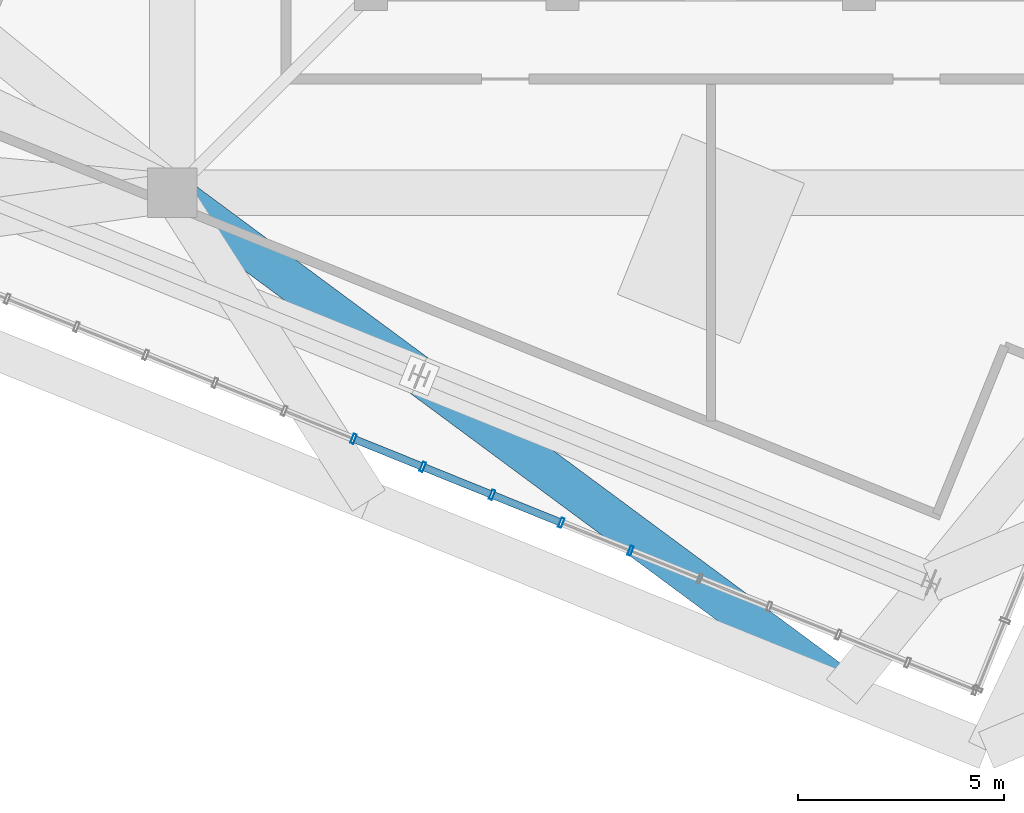
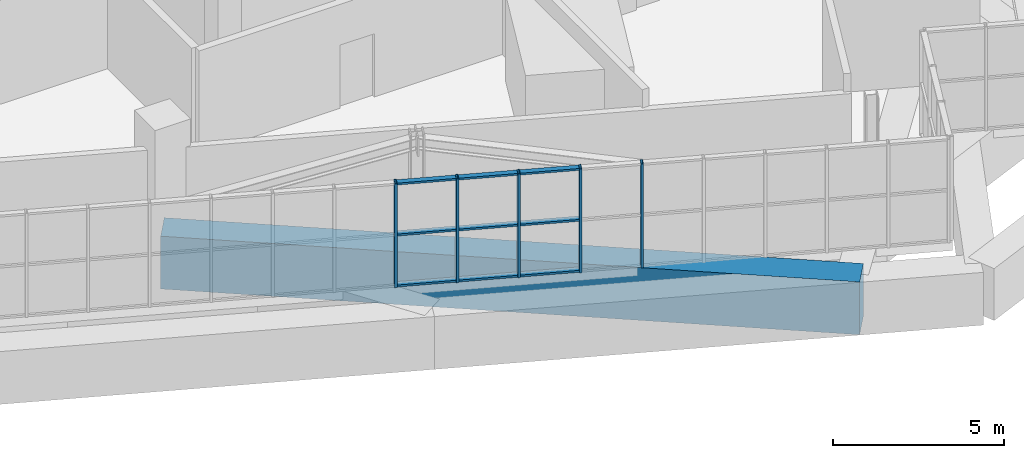
# One storey, part 6 of 35: 14 members, 1 beam, 1 element without a shape of its own.
"""IFC4 building model written with IfcOpenShell, lengths in metres."""

import ifcopenshell
import ifcopenshell.guid

model = None  # the IFC model being written
_history = None  # IfcOwnerHistory: only IFC2X3 demands one
_inside = {}  # id of a spatial element -> (the spatial element, [elements in it])
_under = {}  # id of a project, library or spatial element -> (it, [spatial elements below it])
_declared = {}  # id of a project -> (the project, [libraries it declares])
_typed = {}  # id of a type object -> (the type object, [elements of that type])
_made_of = {}  # id of a material, layer set ... -> (it, [elements and type objects made of it])


def new_model(schema):
    """Start an empty IFC model of exactly this schema.

    Asked for "IFC4X3", IfcOpenShell would pick the latest addendum, in which some entities
    have other attributes; the version numbers below select the first issue.
    IFC2X3 requires an IfcOwnerHistory on every rooted entity: one is made here for all.
    """
    global model, _history
    if schema == "IFC4X3":
        model = ifcopenshell.file(schema_version=(4, 3, 0, 0))
    else:
        model = ifcopenshell.file(schema=schema)
    _inside.clear()
    _under.clear()
    _declared.clear()
    _typed.clear()
    _made_of.clear()
    _history = None
    if model.schema == "IFC2X3":
        org = make("IfcOrganization", Name="unknown")
        user = make(
            "IfcPersonAndOrganization",
            ThePerson=make("IfcPerson", FamilyName="unknown"),
            TheOrganization=org,
        )
        app = make(
            "IfcApplication",
            ApplicationDeveloper=org,
            Version="unknown",
            ApplicationFullName="unknown",
            ApplicationIdentifier="unknown",
        )
        _history = make(
            "IfcOwnerHistory",
            OwningUser=user,
            OwningApplication=app,
            ChangeAction="ADDED",
            CreationDate=0,
        )
    return model


def make(cls, **values):
    """One entity of the class cls with the attributes given. An attribute that is None is left unset."""
    return model.create_entity(
        cls, **{name: value for name, value in values.items() if value is not None}
    )


def rooted(cls, **values):
    """An entity with a GlobalId (a new one), such as an element, a storey or a relation."""
    return make(cls, GlobalId=ifcopenshell.guid.new(), OwnerHistory=_history, **values)


def si_unit(unit_type, name, prefix=None):
    """IfcSIUnit, for example si_unit("LENGTHUNIT", "METRE", prefix="MILLI")."""
    return make("IfcSIUnit", UnitType=unit_type, Prefix=prefix, Name=name)


def assignment(units):
    """IfcUnitAssignment: the units of a project."""
    return None if units is None else make("IfcUnitAssignment", Units=units)


def point(xyz):
    """IfcCartesianPoint."""
    return None if xyz is None else make("IfcCartesianPoint", Coordinates=xyz)


def direction(xyz):
    """IfcDirection."""
    return None if xyz is None else make("IfcDirection", DirectionRatios=xyz)


def frame(location, z_axis=None, x_axis=None):
    """IfcAxis2Placement3D, a coordinate frame: its origin and axes. An axis left out is left unset."""
    return make(
        "IfcAxis2Placement3D",
        Location=point(location),
        Axis=direction(z_axis),
        RefDirection=direction(x_axis),
    )


def frame_2d(location, x_axis=None):
    """IfcAxis2Placement2D, a coordinate frame in the plane: its origin and x axis."""
    return make(
        "IfcAxis2Placement2D", Location=point(location), RefDirection=direction(x_axis)
    )


def origin():
    """The frame at (0, 0, 0) with its axes left unset."""
    return frame((0.0, 0.0, 0.0))


def origin_2d():
    """The frame at (0, 0) in the plane with its x axis left unset."""
    return frame_2d((0.0, 0.0))


def place(relative_to, where):
    """IfcLocalPlacement: puts the frame where relative to a parent placement (None: the world)."""
    return make(
        "IfcLocalPlacement", PlacementRelTo=relative_to, RelativePlacement=where
    )


def context(
    kind, dimensions, precision=None, world=None, true_north=None, identifier=None
):
    """IfcGeometricRepresentationContext, for example the 3D "Model" context."""
    return make(
        "IfcGeometricRepresentationContext",
        ContextIdentifier=identifier,
        ContextType=kind,
        CoordinateSpaceDimension=dimensions,
        Precision=precision,
        WorldCoordinateSystem=world,
        TrueNorth=true_north,
    )


def subcontext(parent, identifier, kind, view, scale=None):
    """IfcGeometricRepresentationSubContext, for example "Body" below "Model"."""
    return make(
        "IfcGeometricRepresentationSubContext",
        ContextIdentifier=identifier,
        ContextType=kind,
        ParentContext=parent,
        TargetScale=scale,
        TargetView=view,
    )


def project(units=None, contexts=None):
    """IfcProject with its units and contexts."""
    return rooted(
        "IfcProject",
        Name="project",
        RepresentationContexts=contexts,
        UnitsInContext=assignment(units),
    )


def spatial(cls, under=None, at=None, **own):
    """A site, building, storey or space (cls), placed at a placement, below another one or the project."""
    s = rooted(cls, ObjectPlacement=at, **own)
    if under is not None:
        _under.setdefault(under.id(), (under, []))[1].append(s)
    return s


def profile(cls, at=None, kind="AREA", **sizes):
    """A parametric profile (cls). Its sizes go by their IFC names, for example OverallWidth=200.0."""
    return make(cls, ProfileType=kind, Position=at, **sizes)


def rectangle(**sizes):
    """IfcRectangleProfileDef."""
    return profile("IfcRectangleProfileDef", **sizes)


def hollow_rectangle(**sizes):
    """IfcRectangleHollowProfileDef."""
    return profile("IfcRectangleHollowProfileDef", **sizes)


def extrude(swept, where, along, depth):
    """IfcExtrudedAreaSolid: the profile swept, set in the frame where, extruded along a direction by depth."""
    return make(
        "IfcExtrudedAreaSolid",
        SweptArea=swept,
        Position=where,
        ExtrudedDirection=direction(along),
        Depth=depth,
    )


def shape(context_of_items, identifier, shape_type, items):
    """IfcShapeRepresentation: the items that make up one representation, for example the "Body"."""
    return make(
        "IfcShapeRepresentation",
        ContextOfItems=context_of_items,
        RepresentationIdentifier=identifier,
        RepresentationType=shape_type,
        Items=items,
    )


def source(mapping_origin, context_of_items, identifier, shape_type, items):
    """IfcRepresentationMap: a shape defined once, which mapped items show again and again."""
    return make(
        "IfcRepresentationMap",
        MappingOrigin=mapping_origin,
        MappedRepresentation=shape(context_of_items, identifier, shape_type, items),
    )


def transform(
    local_origin,
    x_axis=None,
    y_axis=None,
    z_axis=None,
    scale=None,
    scale2=None,
    scale3=None,
    uniform=True,
):
    """IfcCartesianTransformationOperator3D, or its non-uniform kind. x_axis, y_axis, z_axis: its Axis1, 2, 3."""
    if uniform:
        return make(
            "IfcCartesianTransformationOperator3D",
            Axis1=direction(x_axis),
            Axis2=direction(y_axis),
            LocalOrigin=point(local_origin),
            Scale=scale,
            Axis3=direction(z_axis),
        )
    return make(
        "IfcCartesianTransformationOperator3DnonUniform",
        Axis1=direction(x_axis),
        Axis2=direction(y_axis),
        LocalOrigin=point(local_origin),
        Scale=scale,
        Axis3=direction(z_axis),
        Scale2=scale2,
        Scale3=scale3,
    )


def mapped(mapping_source, mapping_target):
    """IfcMappedItem: shows the shape of a source again, moved by a transform."""
    return make(
        "IfcMappedItem", MappingSource=mapping_source, MappingTarget=mapping_target
    )


def material(Name=None, Category=None):
    """IfcMaterial."""
    return make("IfcMaterial", Name=Name, Category=Category)


def layer(
    of_material, thickness, ventilated=None, Name=None, Category=None, Priority=None
):
    """IfcMaterialLayer: one layer of a wall or slab, of a material (None: an air gap)."""
    return make(
        "IfcMaterialLayer",
        Material=of_material,
        LayerThickness=thickness,
        IsVentilated=ventilated,
        Name=Name,
        Category=Category,
        Priority=Priority,
    )


def layer_set(layers, Name=None):
    """IfcMaterialLayerSet."""
    return make("IfcMaterialLayerSet", MaterialLayers=layers, LayerSetName=Name)


def material_profile(
    of_material, cross_section, Name=None, Category=None, Priority=None
):
    """IfcMaterialProfile: a cross section and its material."""
    return make(
        "IfcMaterialProfile",
        Name=Name,
        Material=of_material,
        Profile=cross_section,
        Priority=Priority,
        Category=Category,
    )


def profile_set(profiles, Name=None, composite=None):
    """IfcMaterialProfileSet."""
    return make(
        "IfcMaterialProfileSet",
        Name=Name,
        MaterialProfiles=profiles,
        CompositeProfile=composite,
    )


def made_of(thing, what):
    """Note that an element or type object is made of a material, layer set ...; save() writes the relation."""
    if what is not None:
        _made_of.setdefault(what.id(), (what, []))[1].append(thing)
    return thing


def type_object(cls, material=None, **own):
    """A type object (cls), such as IfcWallType, which elements share."""
    return made_of(rooted(cls, **own), material)


def element(
    cls,
    number,
    at=None,
    inside=None,
    cuts=None,
    type_object=None,
    material=None,
    context=None,
    identifier="Body",
    shape_type=None,
    held_by="IfcProductDefinitionShape",
    body=None,
    shapes=None,
    **own,
):
    """One element of the class cls, such as IfcWall. Its Tag is "e" and its number.

    at: its placement. inside: the storey or other place that contains it. cuts: it is an
    opening in that element (IfcRelVoidsElement). A single representation is given by context,
    identifier, shape_type and body (its items); several are given by shapes. held_by: the class
    of the entity that holds the representations. save() writes the other relations.
    """
    e = rooted(cls, Tag="e%d" % number, ObjectPlacement=at, **own)
    if body is not None:
        shapes = [shape(context, identifier, shape_type, body)]
    if shapes is not None:
        e.Representation = make(held_by, Representations=shapes)
    if inside is not None:
        _inside.setdefault(inside.id(), (inside, []))[1].append(e)
    if cuts is not None:
        rooted(
            "IfcRelVoidsElement", RelatingBuildingElement=cuts, RelatedOpeningElement=e
        )
    if type_object is not None:
        _typed.setdefault(type_object.id(), (type_object, []))[1].append(e)
    return made_of(e, material)


def aggregate(whole, parts):
    """IfcRelAggregates: a whole, such as a stair, and the parts it consists of."""
    return rooted("IfcRelAggregates", RelatingObject=whole, RelatedObjects=parts)


def save(model, path):
    """Write the relations noted so far, then the file.

    IfcRelAggregates (storeys below a building ...), IfcRelContainedInSpatialStructure (elements
    in a storey), IfcRelDefinesByType, IfcRelAssociatesMaterial and IfcRelDeclares: one each for
    every whole, place, type object, material and project.
    """
    for whole, parts in _under.values():
        aggregate(whole, parts)
    for where, things in _inside.values():
        rooted(
            "IfcRelContainedInSpatialStructure",
            RelatedElements=things,
            RelatingStructure=where,
        )
    for kind, things in _typed.values():
        rooted("IfcRelDefinesByType", RelatedObjects=things, RelatingType=kind)
    for what, things in _made_of.values():
        rooted("IfcRelAssociatesMaterial", RelatedObjects=things, RelatingMaterial=what)
    for by, libraries in _declared.values():
        rooted("IfcRelDeclares", RelatingContext=by, RelatedDefinitions=libraries)
    model.write(path)


model = new_model("IFC4")

# Units and contexts
model_context = context("Model", 3, precision=1e-05, world=origin(), true_north=direction((0.0, 1.0)))
body_context = subcontext(model_context, "Body", "Model", "MODEL_VIEW")
ifc_project = project(units=[si_unit("LENGTHUNIT", "METRE"), si_unit("AREAUNIT", "SQUARE_METRE"), si_unit("VOLUMEUNIT", "CUBIC_METRE"), si_unit("PLANEANGLEUNIT", "RADIAN"), si_unit("MASSUNIT", "GRAM", prefix="KILO"), si_unit("THERMODYNAMICTEMPERATUREUNIT", "KELVIN")], contexts=[model_context])

# Site, building, storey
site_placement = place(None, origin())
site = spatial("IfcSite", under=ifc_project, at=site_placement, CompositionType="ELEMENT")
building_placement = place(site_placement, origin())
building = spatial("IfcBuilding", under=site, at=building_placement, Name="Kosmvard Interchange Tower", CompositionType="ELEMENT")
storey_placement = place(building_placement, frame((0.0, 0.0, 321.60009765625)))
storey = spatial("IfcBuildingStorey", under=building, at=storey_placement, Name="L79", CompositionType="ELEMENT", Elevation=321.60009765625)

# Beam
ifc_material_1 = material(Name="Concrete C60/75", Category="concrete")
ifc_material_profile_1 = material_profile(ifc_material_1, rectangle(XDim=0.949951171875, YDim=1.8798828125, at=origin_2d()), Name="TG 950x1880")
ifc_profile_set_1 = profile_set([ifc_material_profile_1], Name="Concrete C60/75")
beam_type = type_object("IfcBeamType", Name="Upper Long-Span Transfer Girder 950x1880 C60/75", PredefinedType="USERDEFINED", material=ifc_profile_set_1)
shared_shape_1 = source(origin(), body_context, "Body", "SweptSolid", [
    extrude(rectangle(XDim=0.949951171875, YDim=1.8798828125, at=origin_2d()), origin(), (0.0, 0.0, 1.0), 20.5341796875),
])
beam_placement = place(storey_placement, frame((-13.0810546875, -13.0810546875, -0.940185546875), z_axis=(0.803708392954, -0.595023376931, 0.0), x_axis=(0.595023376931, 0.803708392954, 0.0)))
element("IfcBeam", 1, at=beam_placement, inside=storey, type_object=beam_type, Name="BM-L79-RD11", ObjectType="TRANSFER_GIRDER", PredefinedType="USERDEFINED", context=body_context, shape_type="MappedRepresentation", body=[
    mapped(shared_shape_1, transform((0.0, 0.0, 0.0), scale=1.0)),
])

# Curtain wall, members
ifc_material_2 = material(Name="Architectural anodised aluminium", Category="aluminium")
ifc_layer = layer(ifc_material_2, 0.25, Name="Architectural anodised aluminium")
ifc_layer_set = layer_set([ifc_layer], Name="Architectural anodised aluminium")
curtain_wall_type = type_object("IfcCurtainWallType", Name="CW-6 Illuminated Crown Lantern Curtain Wall", PredefinedType="NOTDEFINED", material=ifc_layer_set)
curtain_wall_placement = place(storey_placement, origin())
curtain_wall = element("IfcCurtainWall", 2, at=curtain_wall_placement, inside=storey, type_object=curtain_wall_type, Name="L79 Crown Lantern Glazing Face 10", PredefinedType="NOTDEFINED")
ifc_material_profile_2 = material_profile(ifc_material_2, hollow_rectangle(XDim=0.239990234375, YDim=0.080078125, WallThickness=0.006103515625, at=origin_2d()), Name="CWM 240x80x6")
ifc_profile_set_2 = profile_set([ifc_material_profile_2], Name="Architectural anodised aluminium")
member_type_1 = type_object("IfcMemberType", Name="Lantern & Observation CW Mullion 240x80 Aluminium", PredefinedType="MULLION", material=ifc_profile_set_2)
shared_shape_2 = source(origin(), body_context, "Body", "SweptSolid", [
    extrude(hollow_rectangle(XDim=0.239990234375, YDim=0.080078125, WallThickness=0.006103515625, at=origin_2d()), origin(), (0.0, 0.0, 1.0), 3.699951171875),
])
member_1_placement = place(storey_placement, frame((-8.677734375, -19.056884765625, 0.0), z_axis=(0.0, 0.0, 1.0), x_axis=(0.374606584758, 0.927183858065, 0.0)))
member_1 = element("IfcMember", 3, at=member_1_placement, type_object=member_type_1, Name="CW-6 mullion 9", PredefinedType="MULLION", context=body_context, shape_type="MappedRepresentation", body=[
    mapped(shared_shape_2, transform((0.0, 0.0, 0.0), scale=1.0)),
])
member_2_placement = place(storey_placement, frame((-6.995849609375, -19.736572265625, 0.0), z_axis=(0.0, 0.0, 1.0), x_axis=(0.374606584758, 0.927183858065, 0.0)))
member_2 = element("IfcMember", 4, at=member_2_placement, type_object=member_type_1, Name="CW-6 mullion 10", PredefinedType="MULLION", context=body_context, shape_type="MappedRepresentation", body=[
    mapped(shared_shape_2, transform((0.0, 0.0, 0.0), scale=1.0)),
])
member_3_placement = place(storey_placement, frame((-5.313720703125, -20.416015625, 0.0), z_axis=(0.0, 0.0, 1.0), x_axis=(0.374606584758, 0.927183858065, 0.0)))
member_3 = element("IfcMember", 5, at=member_3_placement, type_object=member_type_1, Name="CW-6 mullion 11", PredefinedType="MULLION", context=body_context, shape_type="MappedRepresentation", body=[
    mapped(shared_shape_2, transform((0.0, 0.0, 0.0), scale=1.0)),
])
member_4_placement = place(storey_placement, frame((-3.6318359375, -21.095703125, 0.0), z_axis=(0.0, 0.0, 1.0), x_axis=(0.374606584758, 0.927183858065, 0.0)))
member_4 = element("IfcMember", 6, at=member_4_placement, type_object=member_type_1, Name="CW-6 mullion 12", PredefinedType="MULLION", context=body_context, shape_type="MappedRepresentation", body=[
    mapped(shared_shape_2, transform((0.0, 0.0, 0.0), scale=1.0)),
])
member_5_placement = place(storey_placement, frame((-1.94970703125, -21.775146484375, 0.0), z_axis=(0.0, 0.0, 1.0), x_axis=(0.374606584758, 0.927183858065, 0.0)))
member_5 = element("IfcMember", 7, at=member_5_placement, type_object=member_type_1, Name="CW-6 mullion 13", PredefinedType="MULLION", context=body_context, shape_type="MappedRepresentation", body=[
    mapped(shared_shape_2, transform((0.0, 0.0, 0.0), scale=1.0)),
])
ifc_material_profile_3 = material_profile(ifc_material_2, hollow_rectangle(XDim=0.179931640625, YDim=0.070068359375, WallThickness=0.0048828125, at=origin_2d()), Name="CWT 180x70x5")
ifc_profile_set_3 = profile_set([ifc_material_profile_3], Name="Architectural anodised aluminium")
member_type_2 = type_object("IfcMemberType", Name="Heavy Lantern CW Transom 180x70 Aluminium", PredefinedType="USERDEFINED", material=ifc_profile_set_3)
shared_shape_3 = source(origin(), body_context, "Body", "SweptSolid", [
    extrude(hollow_rectangle(XDim=0.179931640625, YDim=0.070068359375, WallThickness=0.0048828125, at=origin_2d()), origin(), (0.0, 0.0, 1.0), 1.734130859375),
])
member_6_placement = place(storey_placement, frame((-6.958740234375, -19.75146484375, 0.034912109375), z_axis=(0.927179782522, -0.374616671924, 0.0), x_axis=(0.374616671924, 0.927179782522, 0.0)))
member_6 = element("IfcMember", 8, at=member_6_placement, type_object=member_type_2, Name="CW-6 transom 10.1", ObjectType="TRANSOM", PredefinedType="USERDEFINED", context=body_context, shape_type="MappedRepresentation", body=[
    mapped(shared_shape_3, transform((0.0, 0.0, 0.0), scale=1.0)),
])
member_7_placement = place(storey_placement, frame((-6.958740234375, -19.75146484375, 1.849853515625), z_axis=(0.927179782522, -0.374616671924, 0.0), x_axis=(0.374616671924, 0.927179782522, 0.0)))
member_7 = element("IfcMember", 9, at=member_7_placement, type_object=member_type_2, Name="CW-6 transom 10.2", ObjectType="TRANSOM", PredefinedType="USERDEFINED", context=body_context, shape_type="MappedRepresentation", body=[
    mapped(shared_shape_3, transform((0.0, 0.0, 0.0), scale=1.0)),
])
member_8_placement = place(storey_placement, frame((-6.958740234375, -19.75146484375, 3.664794921875), z_axis=(0.927179782522, -0.374616671924, 0.0), x_axis=(0.374616671924, 0.927179782522, 0.0)))
member_8 = element("IfcMember", 10, at=member_8_placement, type_object=member_type_2, Name="CW-6 transom 10.3", ObjectType="TRANSOM", PredefinedType="USERDEFINED", context=body_context, shape_type="MappedRepresentation", body=[
    mapped(shared_shape_3, transform((0.0, 0.0, 0.0), scale=1.0)),
])
member_9_placement = place(storey_placement, frame((-5.276611328125, -20.43115234375, 0.034912109375), z_axis=(0.927228675447, -0.374495638732, 0.0), x_axis=(0.374495638732, 0.927228675447, 0.0)))
member_9 = element("IfcMember", 11, at=member_9_placement, type_object=member_type_2, Name="CW-6 transom 11.1", ObjectType="TRANSOM", PredefinedType="USERDEFINED", context=body_context, shape_type="MappedRepresentation", body=[
    mapped(shared_shape_3, transform((0.0, 0.0, 0.0), scale=1.0)),
])
member_10_placement = place(storey_placement, frame((-5.276611328125, -20.43115234375, 1.849853515625), z_axis=(0.927228675447, -0.374495638732, 0.0), x_axis=(0.374495638732, 0.927228675447, 0.0)))
member_10 = element("IfcMember", 12, at=member_10_placement, type_object=member_type_2, Name="CW-6 transom 11.2", ObjectType="TRANSOM", PredefinedType="USERDEFINED", context=body_context, shape_type="MappedRepresentation", body=[
    mapped(shared_shape_3, transform((0.0, 0.0, 0.0), scale=1.0)),
])
member_11_placement = place(storey_placement, frame((-5.276611328125, -20.43115234375, 3.664794921875), z_axis=(0.927228675447, -0.374495638732, 0.0), x_axis=(0.374495638732, 0.927228675447, 0.0)))
member_11 = element("IfcMember", 13, at=member_11_placement, type_object=member_type_2, Name="CW-6 transom 11.3", ObjectType="TRANSOM", PredefinedType="USERDEFINED", context=body_context, shape_type="MappedRepresentation", body=[
    mapped(shared_shape_3, transform((0.0, 0.0, 0.0), scale=1.0)),
])
shared_shape_4 = source(origin(), body_context, "Body", "SweptSolid", [
    extrude(hollow_rectangle(XDim=0.179931640625, YDim=0.070068359375, WallThickness=0.0048828125, at=origin_2d()), origin(), (0.0, 0.0, 1.0), 1.73388671875),
])
member_12_placement = place(storey_placement, frame((-8.640625, -19.07177734375, 0.034912109375), z_axis=(0.927160021861, -0.374665576032, 0.0), x_axis=(0.374665576032, 0.927160021861, 0.0)))
member_12 = element("IfcMember", 14, at=member_12_placement, type_object=member_type_2, Name="CW-6 transom 9.1", ObjectType="TRANSOM", PredefinedType="USERDEFINED", context=body_context, shape_type="MappedRepresentation", body=[
    mapped(shared_shape_4, transform((0.0, 0.0, 0.0), scale=1.0)),
])
member_13_placement = place(storey_placement, frame((-8.640625, -19.07177734375, 1.849853515625), z_axis=(0.927160021861, -0.374665576032, 0.0), x_axis=(0.374665576032, 0.927160021861, 0.0)))
member_13 = element("IfcMember", 15, at=member_13_placement, type_object=member_type_2, Name="CW-6 transom 9.2", ObjectType="TRANSOM", PredefinedType="USERDEFINED", context=body_context, shape_type="MappedRepresentation", body=[
    mapped(shared_shape_4, transform((0.0, 0.0, 0.0), scale=1.0)),
])
member_14_placement = place(storey_placement, frame((-8.640625, -19.07177734375, 3.664794921875), z_axis=(0.927160021861, -0.374665576032, 0.0), x_axis=(0.374665576032, 0.927160021861, 0.0)))
member_14 = element("IfcMember", 16, at=member_14_placement, type_object=member_type_2, Name="CW-6 transom 9.3", ObjectType="TRANSOM", PredefinedType="USERDEFINED", context=body_context, shape_type="MappedRepresentation", body=[
    mapped(shared_shape_4, transform((0.0, 0.0, 0.0), scale=1.0)),
])
aggregate(curtain_wall, [member_1, member_2, member_3, member_4, member_5, member_12, member_13, member_14, member_6, member_7, member_8, member_9, member_10, member_11])

save(model, "model.ifc")
